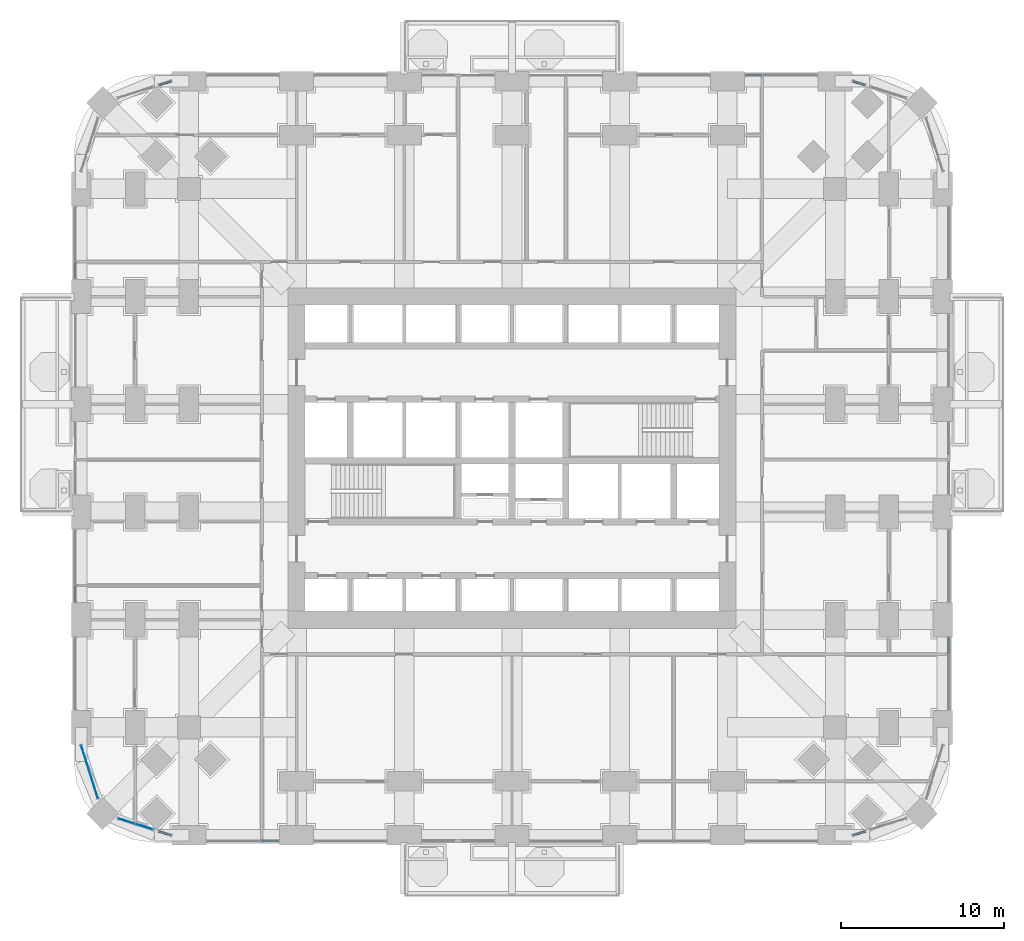
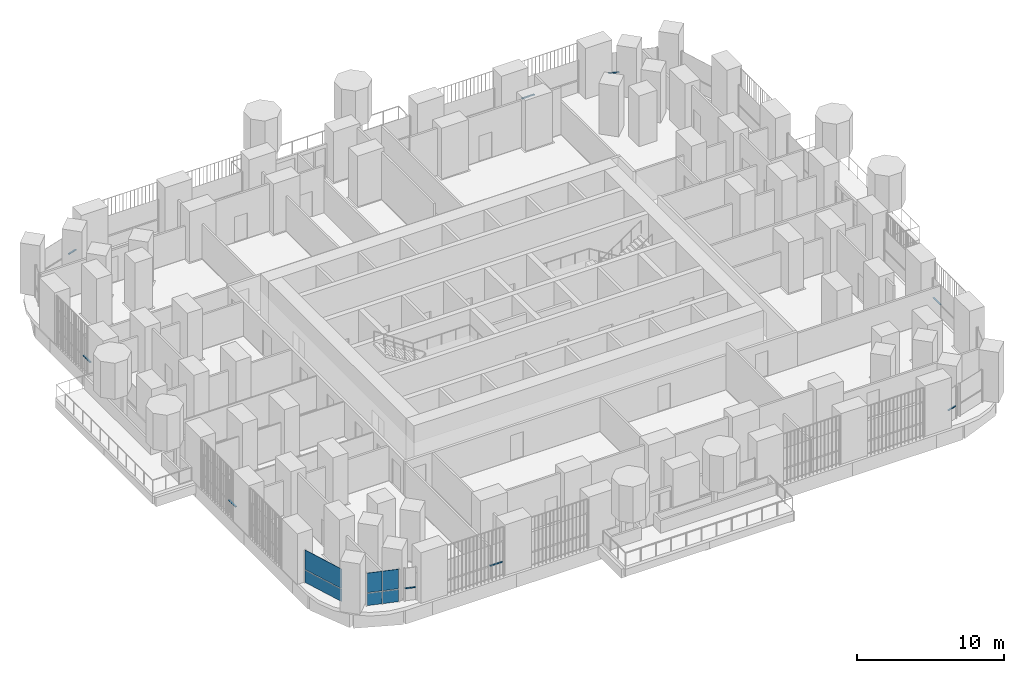
# One storey, part 10 of 26: 9 members, 6 plates, 11 elements without a shape of their own.
"""IFC4 building model written with IfcOpenShell, lengths in metres."""

from ifc_helpers import new_model, si_unit, direction, frame, origin, origin_2d, place, context, subcontext, project, spatial, rectangle, extrude, material, layer, layer_set, material_profile, profile_set, type_object, element, aggregate, save


model = new_model("IFC4")

# Units and contexts
model_context = context("Model", 3, precision=1e-05, world=origin(), true_north=direction((0.0, 1.0)))
body_context = subcontext(model_context, "Body", "Model", "MODEL_VIEW")
ifc_project = project(units=[si_unit("LENGTHUNIT", "METRE"), si_unit("AREAUNIT", "SQUARE_METRE"), si_unit("VOLUMEUNIT", "CUBIC_METRE"), si_unit("PLANEANGLEUNIT", "RADIAN"), si_unit("MASSUNIT", "GRAM", prefix="KILO")], contexts=[model_context])

# Site, building, storey
site_placement = place(None, origin())
site = spatial("IfcSite", under=ifc_project, at=site_placement, CompositionType="ELEMENT")
building_placement = place(site_placement, origin())
building = spatial("IfcBuilding", under=site, at=building_placement, Name="Cobogo Forest Laboratory Tower", CompositionType="ELEMENT")
storey_placement = place(building_placement, frame((0.0, 0.0, 25.5)))
storey = spatial("IfcBuildingStorey", under=building, at=storey_placement, Name="L05", CompositionType="ELEMENT", Elevation=25.5)

# Curtain wall, member
ifc_material_1 = material(Name="Aluminium curtain wall", Category="aluminium")
curtain_wall_type = type_object("IfcCurtainWallType", Name="CW-1 unitised curtain wall, clear glazing, laboratory floors zones A and B", PredefinedType="USERDEFINED", material=ifc_material_1)
curtain_wall_1_placement = place(storey_placement, origin())
curtain_wall_1 = element("IfcCurtainWall", 1, at=curtain_wall_1_placement, inside=storey, type_object=curtain_wall_type, Name="Curtain wall 01 L05", ObjectType="UNITISED CURTAIN WALL", PredefinedType="USERDEFINED")
ifc_material_2 = material(Name="Aluminium transom", Category="aluminium")
ifc_material_profile = material_profile(ifc_material_2, rectangle(XDim=0.1201171875, YDim=0.06005859375, at=origin_2d()), Name="AL 60x120")
ifc_profile_set = profile_set([ifc_material_profile], Name="Aluminium transom")
member_type = type_object("IfcMemberType", Name="TR-1 aluminium transom 60x120", PredefinedType="USERDEFINED", material=ifc_profile_set)
member_1_placement = place(storey_placement, frame((11.10498046875, -0.35009765625, 1.050048828125), z_axis=(1.0, 0.0, 0.0), x_axis=(0.0, 1.0, 0.0)))
member_1 = element("IfcMember", 2, at=member_1_placement, type_object=member_type, Name="CW-1 transom 2.1", ObjectType="TRANSOM", PredefinedType="USERDEFINED", context=body_context, shape_type="SweptSolid", body=[
    extrude(rectangle(XDim=0.1201171875, YDim=0.06005859375, at=origin_2d()), origin(), (0.0, 0.0, 1.0), 0.985107421875),
])
aggregate(curtain_wall_1, [member_1])

curtain_wall_2_placement = place(storey_placement, origin())
curtain_wall_2 = element("IfcCurtainWall", 3, at=curtain_wall_2_placement, inside=storey, type_object=curtain_wall_type, Name="Curtain wall 07 L05", ObjectType="UNITISED CURTAIN WALL", PredefinedType="USERDEFINED")
member_2_placement = place(storey_placement, frame((47.30712890625, -0.000244140625, 1.050048828125), z_axis=(0.95359247203, 0.301100311005, 0.0), x_axis=(-0.301100311005, 0.95359247203, 0.0)))
member_2 = element("IfcMember", 4, at=member_2_placement, type_object=member_type, Name="CW-1 transom 1.1", ObjectType="TRANSOM", PredefinedType="USERDEFINED", context=body_context, shape_type="SweptSolid", body=[
    extrude(rectangle(XDim=0.1201171875, YDim=0.06005859375, at=origin_2d()), origin(), (0.0, 0.0, 1.0), 0.75244140625),
])
aggregate(curtain_wall_2, [member_2])

curtain_wall_3_placement = place(storey_placement, origin())
curtain_wall_3 = element("IfcCurtainWall", 5, at=curtain_wall_3_placement, inside=storey, type_object=curtain_wall_type, Name="Curtain wall 10 L05", ObjectType="UNITISED CURTAIN WALL", PredefinedType="USERDEFINED")
member_3_placement = place(storey_placement, frame((53.14990234375, 11.10498046875, 1.050048828125), z_axis=(0.0, 1.0, 0.0), x_axis=(-1.0, 0.0, 0.0)))
member_3 = element("IfcMember", 6, at=member_3_placement, type_object=member_type, Name="CW-1 transom 2.1", ObjectType="TRANSOM", PredefinedType="USERDEFINED", context=body_context, shape_type="SweptSolid", body=[
    extrude(rectangle(XDim=0.1201171875, YDim=0.06005859375, at=origin_2d()), origin(), (0.0, 0.0, 1.0), 0.985107421875),
])
aggregate(curtain_wall_3, [member_3])

curtain_wall_4_placement = place(storey_placement, origin())
curtain_wall_4 = element("IfcCurtainWall", 7, at=curtain_wall_4_placement, inside=storey, type_object=curtain_wall_type, Name="Curtain wall 17 L05", ObjectType="UNITISED CURTAIN WALL", PredefinedType="USERDEFINED")
member_4_placement = place(storey_placement, frame((48.024658203125, 45.973876953125, 1.050048828125), z_axis=(-0.95359247203, 0.301100311005, 0.0), x_axis=(-0.301100311005, -0.95359247203, 0.0)))
member_4 = element("IfcMember", 8, at=member_4_placement, type_object=member_type, Name="CW-1 transom 1.1", ObjectType="TRANSOM", PredefinedType="USERDEFINED", context=body_context, shape_type="SweptSolid", body=[
    extrude(rectangle(XDim=0.1201171875, YDim=0.06005859375, at=origin_2d()), origin(), (0.0, 0.0, 1.0), 0.75244140625),
])
aggregate(curtain_wall_4, [member_4])

curtain_wall_5_placement = place(storey_placement, origin())
curtain_wall_5 = element("IfcCurtainWall", 9, at=curtain_wall_5_placement, inside=storey, type_object=curtain_wall_type, Name="Curtain wall 18 L05", ObjectType="UNITISED CURTAIN WALL", PredefinedType="USERDEFINED")
member_5_placement = place(storey_placement, frame((41.695068359375, 46.550048828125, 1.050048828125), z_axis=(-1.0, 0.0, 0.0), x_axis=(0.0, -1.0, 0.0)))
member_5 = element("IfcMember", 10, at=member_5_placement, type_object=member_type, Name="CW-1 transom 2.1", ObjectType="TRANSOM", PredefinedType="USERDEFINED", context=body_context, shape_type="SweptSolid", body=[
    extrude(rectangle(XDim=0.1201171875, YDim=0.06005859375, at=origin_2d()), origin(), (0.0, 0.0, 1.0), 0.985107421875),
])
aggregate(curtain_wall_5, [member_5])

curtain_wall_6_placement = place(storey_placement, origin())
curtain_wall_6 = element("IfcCurtainWall", 11, at=curtain_wall_6_placement, inside=storey, type_object=curtain_wall_type, Name="Curtain wall 24 L05", ObjectType="UNITISED CURTAIN WALL", PredefinedType="USERDEFINED")
member_6_placement = place(storey_placement, frame((5.49267578125, 46.200439453125, 1.050048828125), z_axis=(-0.953563042236, -0.301193500066, 0.0), x_axis=(0.301193500066, -0.953563042236, 0.0)))
member_6 = element("IfcMember", 12, at=member_6_placement, type_object=member_type, Name="CW-1 transom 1.1", ObjectType="TRANSOM", PredefinedType="USERDEFINED", context=body_context, shape_type="SweptSolid", body=[
    extrude(rectangle(XDim=0.1201171875, YDim=0.06005859375, at=origin_2d()), origin(), (0.0, 0.0, 1.0), 0.752197265625),
])
aggregate(curtain_wall_6, [member_6])

curtain_wall_7_placement = place(storey_placement, origin())
curtain_wall_7 = element("IfcCurtainWall", 13, at=curtain_wall_7_placement, inside=storey, type_object=curtain_wall_type, Name="Curtain wall 27 L05", ObjectType="UNITISED CURTAIN WALL", PredefinedType="USERDEFINED")
member_7_placement = place(storey_placement, frame((-0.35009765625, 35.094970703125, 1.050048828125), z_axis=(0.0, -1.0, 0.0), x_axis=(1.0, 0.0, 0.0)))
member_7 = element("IfcMember", 14, at=member_7_placement, type_object=member_type, Name="CW-1 transom 2.1", ObjectType="TRANSOM", PredefinedType="USERDEFINED", context=body_context, shape_type="SweptSolid", body=[
    extrude(rectangle(XDim=0.1201171875, YDim=0.06005859375, at=origin_2d()), origin(), (0.0, 0.0, 1.0), 0.98486328125),
])
aggregate(curtain_wall_7, [member_7])

curtain_wall_8_placement = place(storey_placement, origin())
curtain_wall_8 = element("IfcCurtainWall", 15, at=curtain_wall_8_placement, inside=storey, type_object=curtain_wall_type, Name="Curtain wall 30 L05", ObjectType="UNITISED CURTAIN WALL", PredefinedType="USERDEFINED")
member_8_placement = place(storey_placement, frame((-0.35009765625, 15.27001953125, 1.050048828125), z_axis=(0.0, -1.0, 0.0), x_axis=(1.0, 0.0, 0.0)))
member_8 = element("IfcMember", 16, at=member_8_placement, type_object=member_type, Name="CW-1 transom 2.1", ObjectType="TRANSOM", PredefinedType="USERDEFINED", context=body_context, shape_type="SweptSolid", body=[
    extrude(rectangle(XDim=0.1201171875, YDim=0.06005859375, at=origin_2d()), origin(), (0.0, 0.0, 1.0), 0.9599609375),
])
aggregate(curtain_wall_8, [member_8])

curtain_wall_9_placement = place(storey_placement, origin())
curtain_wall_9 = element("IfcCurtainWall", 17, at=curtain_wall_9_placement, inside=storey, type_object=curtain_wall_type, Name="Curtain wall 34 L05", ObjectType="UNITISED CURTAIN WALL", PredefinedType="USERDEFINED")
member_9_placement = place(storey_placement, frame((4.775390625, 0.226318359375, 1.050048828125), z_axis=(0.953563042236, -0.301193500066, 0.0), x_axis=(0.301193500066, 0.953563042236, 0.0)))
member_9 = element("IfcMember", 18, at=member_9_placement, type_object=member_type, Name="CW-1 transom 1.1", ObjectType="TRANSOM", PredefinedType="USERDEFINED", context=body_context, shape_type="SweptSolid", body=[
    extrude(rectangle(XDim=0.1201171875, YDim=0.06005859375, at=origin_2d()), origin(), (0.0, 0.0, 1.0), 0.752197265625),
])
aggregate(curtain_wall_9, [member_9])

# Curtain wall, plates
curtain_wall_10_placement = place(storey_placement, origin())
curtain_wall_10 = element("IfcCurtainWall", 19, at=curtain_wall_10_placement, inside=storey, type_object=curtain_wall_type, Name="Curtain wall 32 L05", ObjectType="UNITISED CURTAIN WALL", PredefinedType="USERDEFINED")
ifc_material_3 = material(Name="Clear insulated glass", Category="glass")
ifc_layer = layer(ifc_material_3, 0.028076171875)
ifc_layer_set = layer_set([ifc_layer], Name="GP-1 clear insulated glass unit 28")
plate_type = type_object("IfcPlateType", Name="GP-1 clear insulated glass unit 28", PredefinedType="CURTAIN_PANEL", material=ifc_layer_set)
plate_1_placement = place(storey_placement, frame((0.509033203125, 3.880126953125, 0.0), z_axis=(0.0, 0.0, 1.0), x_axis=(0.30113535792, -0.95358140513, 0.0)))
plate_1 = element("IfcPlate", 20, at=plate_1_placement, type_object=plate_type, Name="CW-1 panel 1.1", PredefinedType="CURTAIN_PANEL", context=body_context, shape_type="SweptSolid", body=[
    extrude(rectangle(XDim=3.382568359375, YDim=0.028076171875, at=origin_2d()), origin(), (0.0, 0.0, 1.0), 1.02001953125),
])
plate_2_placement = place(storey_placement, frame((0.509033203125, 3.880126953125, 1.079833984375), z_axis=(0.0, 0.0, 1.0), x_axis=(0.30113535792, -0.95358140513, 0.0)))
plate_2 = element("IfcPlate", 21, at=plate_2_placement, type_object=plate_type, Name="CW-1 panel 1.2", PredefinedType="CURTAIN_PANEL", context=body_context, shape_type="SweptSolid", body=[
    extrude(rectangle(XDim=3.382568359375, YDim=0.028076171875, at=origin_2d()), origin(), (0.0, 0.0, 1.0), 1.6201171875),
])
aggregate(curtain_wall_10, [plate_1, plate_2])

curtain_wall_11_placement = place(storey_placement, origin())
curtain_wall_11 = element("IfcCurtainWall", 22, at=curtain_wall_11_placement, inside=storey, type_object=curtain_wall_type, Name="Curtain wall 33 L05", ObjectType="UNITISED CURTAIN WALL", PredefinedType="USERDEFINED")
plate_3_placement = place(storey_placement, frame((2.75732421875, 0.863525390625, 0.0), z_axis=(0.0, 0.0, 1.0), x_axis=(0.953581409645, -0.301135343623, 0.0)))
plate_3 = element("IfcPlate", 23, at=plate_3_placement, type_object=plate_type, Name="CW-1 panel 1.1", PredefinedType="CURTAIN_PANEL", context=body_context, shape_type="SweptSolid", body=[
    extrude(rectangle(XDim=1.027587890625, YDim=0.028076171875, at=origin_2d()), origin(), (0.0, 0.0, 1.0), 1.02001953125),
])
plate_4_placement = place(storey_placement, frame((2.75732421875, 0.863525390625, 1.079833984375), z_axis=(0.0, 0.0, 1.0), x_axis=(0.953581409645, -0.301135343623, 0.0)))
plate_4 = element("IfcPlate", 24, at=plate_4_placement, type_object=plate_type, Name="CW-1 panel 1.2", PredefinedType="CURTAIN_PANEL", context=body_context, shape_type="SweptSolid", body=[
    extrude(rectangle(XDim=1.027587890625, YDim=0.028076171875, at=origin_2d()), origin(), (0.0, 0.0, 1.0), 1.6201171875),
])
plate_5_placement = place(storey_placement, frame((3.83642578125, 0.522705078125, 0.0), z_axis=(0.0, 0.0, 1.0), x_axis=(0.953581409645, -0.301135343623, 0.0)))
plate_5 = element("IfcPlate", 25, at=plate_5_placement, type_object=plate_type, Name="CW-1 panel 2.1", PredefinedType="CURTAIN_PANEL", context=body_context, shape_type="SweptSolid", body=[
    extrude(rectangle(XDim=1.11572265625, YDim=0.028076171875, at=origin_2d()), origin(), (0.0, 0.0, 1.0), 1.02001953125),
])
plate_6_placement = place(storey_placement, frame((3.83642578125, 0.522705078125, 1.079833984375), z_axis=(0.0, 0.0, 1.0), x_axis=(0.953581409645, -0.301135343623, 0.0)))
plate_6 = element("IfcPlate", 26, at=plate_6_placement, type_object=plate_type, Name="CW-1 panel 2.2", PredefinedType="CURTAIN_PANEL", context=body_context, shape_type="SweptSolid", body=[
    extrude(rectangle(XDim=1.11572265625, YDim=0.028076171875, at=origin_2d()), origin(), (0.0, 0.0, 1.0), 1.6201171875),
])
aggregate(curtain_wall_11, [plate_3, plate_4, plate_5, plate_6])

save(model, "model.ifc")
